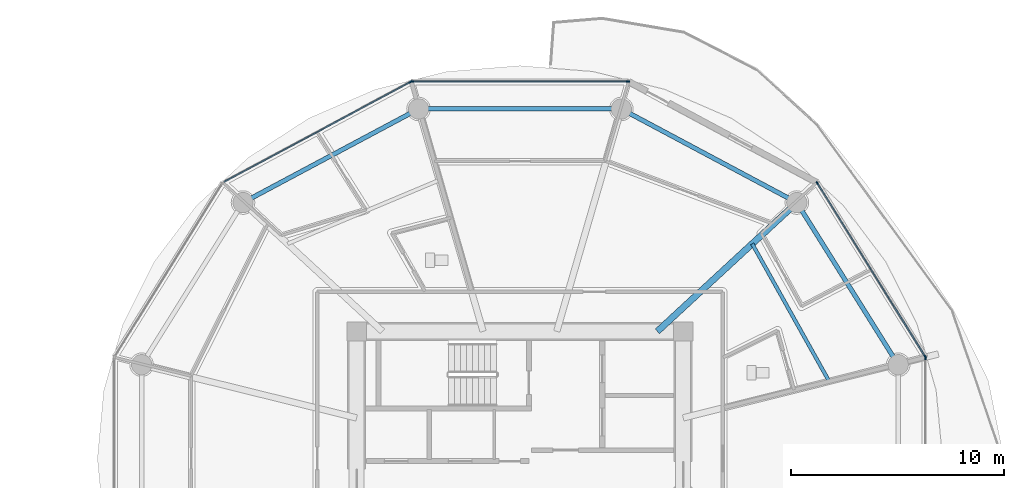
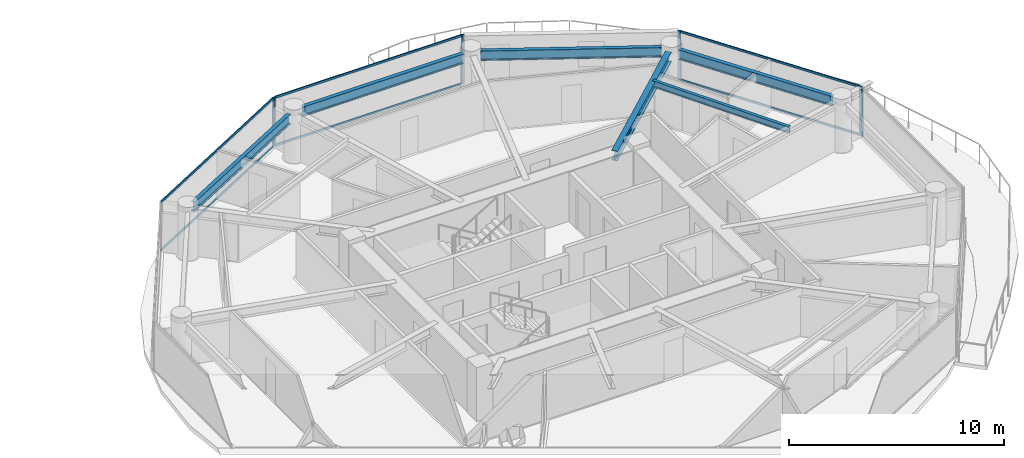
# One storey, part 13 of 31: 12 members, 6 beams, 4 elements without a shape of their own.
"""IFC4 building model written with IfcOpenShell, lengths in metres."""

from ifc_helpers import new_model, si_unit, direction, frame, origin, origin_2d, place, context, subcontext, project, spatial, rectangle, i_section, extrude, source, transform, mapped, material, layer, layer_set, material_profile, profile_set, type_object, type_shapes, element, aggregate, save


model = new_model("IFC4")

# Units and contexts
model_context = context("Model", 3, precision=1e-05, world=origin(), true_north=direction((0.0, 1.0)))
body_context = subcontext(model_context, "Body", "Model", "MODEL_VIEW")
ifc_project = project(units=[si_unit("LENGTHUNIT", "METRE"), si_unit("AREAUNIT", "SQUARE_METRE"), si_unit("VOLUMEUNIT", "CUBIC_METRE"), si_unit("PLANEANGLEUNIT", "RADIAN"), si_unit("MASSUNIT", "GRAM", prefix="KILO")], contexts=[model_context])

# Site, building, storey
site_placement = place(None, origin())
site = spatial("IfcSite", under=ifc_project, at=site_placement, CompositionType="ELEMENT")
building_placement = place(site_placement, origin())
building = spatial("IfcBuilding", under=site, at=building_placement, Name="Norrkilde Senior Care Towers", CompositionType="ELEMENT")
storey_placement = place(building_placement, frame((0.0, 0.0, 42.949951171875)))
storey = spatial("IfcBuildingStorey", under=building, at=storey_placement, Name="L12", CompositionType="ELEMENT", Elevation=42.949951171875)

# Beams
ifc_material_1 = material(Name="Steel S355", Category="steel")
ifc_material_profile_1 = material_profile(ifc_material_1, i_section(OverallWidth=0.2099609375, OverallDepth=0.550048828125, WebThickness=0.010986328125, FlangeThickness=0.01708984375, FilletRadius=0.02392578125, at=origin_2d()), Name="IPE 550")
ifc_profile_set_1 = profile_set([ifc_material_profile_1], Name="Steel S355")
beam_type_1 = type_object("IfcBeamType", Name="Perimeter Ring Spandrel Z1 IPE550", PredefinedType="SPANDREL", material=ifc_profile_set_1)
shared_shape_1 = source(origin(), body_context, "Body", "SweptSolid", [
    extrude(i_section(OverallWidth=0.2099609375, OverallDepth=0.550048828125, WebThickness=0.010986328125, FlangeThickness=0.01708984375, FilletRadius=0.02392578125, at=origin_2d()), origin(), (0.0, 0.0, 1.0), 8.090576171875),
])
beam_1_placement = place(storey_placement, frame((45.494140625, 4.755859375, 2.51513671875), z_axis=(-0.530004364821, 0.84799491347, 0.0), x_axis=(-0.84799491347, -0.530004364821, 0.0)))
element("IfcBeam", 1, at=beam_1_placement, inside=storey, type_object=beam_type_1, Name="L12 Drum E Perimeter Spandrel 01", PredefinedType="SPANDREL", context=body_context, shape_type="MappedRepresentation", body=[
    mapped(shared_shape_1, transform((0.0, 0.0, 0.0), x_axis=(1.0, 0.0, 0.0), y_axis=(0.0, 1.0, 0.0), z_axis=(0.0, 0.0, 1.0), scale=1.0)),
])
shared_shape_2 = source(origin(), body_context, "Body", "SweptSolid", [
    extrude(i_section(OverallWidth=0.2099609375, OverallDepth=0.550048828125, WebThickness=0.010986328125, FlangeThickness=0.01708984375, FilletRadius=0.02392578125, at=origin_2d()), origin(), (0.0, 0.0, 1.0), 8.452880859375),
])
for number, where, z_axis, x_axis, name in (
    (2, (40.591552734375, 12.190185546875, 2.51513671875), (-0.882368931134, 0.470558252898, 0.0), (-0.470558252898, -0.882368931134, 0.0), "L12 Drum E Perimeter Spandrel 02"),
    (3, (22.866943359375, 16.167724609375, 2.51513671875), (-0.882368931134, -0.470558252898, 0.0), (0.470558252898, -0.882368931134, 0.0), "L12 Drum E Perimeter Spandrel 04"),
):
    element("IfcBeam", number, at=place(storey_placement, frame(where, z_axis=z_axis, x_axis=x_axis)), inside=storey, type_object=beam_type_1, Name=name, PredefinedType="SPANDREL", context=body_context, shape_type="MappedRepresentation", body=[
        mapped(shared_shape_2, transform((0.0, 0.0, 0.0), x_axis=(1.0, 0.0, 0.0), y_axis=(0.0, 1.0, 0.0), z_axis=(0.0, 0.0, 1.0), scale=1.0)),
    ])
ifc_material_profile_2 = material_profile(ifc_material_1, i_section(OverallWidth=0.300048828125, OverallDepth=0.550048828125, WebThickness=0.014892578125, FlangeThickness=0.029052734375, FilletRadius=0.027099609375, at=origin_2d()), Name="HEB 550")
ifc_profile_set_2 = profile_set([ifc_material_profile_2], Name="Steel S355")
beam_type_2 = type_object("IfcBeamType", Name="Radial Floor Beam Z1 HEB550", PredefinedType="BEAM", material=ifc_profile_set_2)
shared_shape_3 = source(origin(), body_context, "Body", "SweptSolid", [
    extrude(i_section(OverallWidth=0.300048828125, OverallDepth=0.550048828125, WebThickness=0.014892578125, FlangeThickness=0.029052734375, FilletRadius=0.027099609375, at=origin_2d()), origin(), (0.0, 0.0, 1.0), 8.459716796875),
])
type_shapes(beam_type_2, [shared_shape_3])
beam_2_placement = place(storey_placement, frame((34.44140625, 5.949951171875, 2.51513671875), z_axis=(0.734573269108, 0.678529374686, 0.0), x_axis=(-0.678529374686, 0.734573269108, 0.0)))
element("IfcBeam", 4, at=beam_2_placement, inside=storey, type_object=beam_type_2, Name="L12 Drum E Radial Floor Beam 02", PredefinedType="BEAM", context=body_context, shape_type="MappedRepresentation", body=[
    mapped(shared_shape_3, transform((0.0, 0.0, 0.0), x_axis=(1.0, 0.0, 0.0), y_axis=(0.0, 1.0, 0.0), z_axis=(0.0, 0.0, 1.0), scale=1.0)),
])
shared_shape_4 = source(origin(), body_context, "Body", "SweptSolid", [
    extrude(i_section(OverallWidth=0.2099609375, OverallDepth=0.550048828125, WebThickness=0.010986328125, FlangeThickness=0.01708984375, FilletRadius=0.02392578125, at=origin_2d()), origin(), (0.0, 0.0, 1.0), 8.62841796875),
])
type_shapes(beam_type_1, [shared_shape_1, shared_shape_2, shared_shape_4])
beam_3_placement = place(storey_placement, frame((32.314208984375, 16.37255859375, 2.51513671875), z_axis=(-1.0, 0.0, 0.0), x_axis=(0.0, -1.0, 0.0)))
element("IfcBeam", 5, at=beam_3_placement, inside=storey, type_object=beam_type_1, Name="L12 Drum E Perimeter Spandrel 03", PredefinedType="SPANDREL", context=body_context, shape_type="MappedRepresentation", body=[
    mapped(shared_shape_4, transform((0.0, 0.0, 0.0), x_axis=(1.0, 0.0, 0.0), y_axis=(0.0, 1.0, 0.0), z_axis=(0.0, 0.0, 1.0), scale=1.0)),
])
ifc_material_profile_3 = material_profile(ifc_material_1, i_section(OverallWidth=0.169921875, OverallDepth=0.360107421875, WebThickness=0.008056640625, FlangeThickness=0.0126953125, FilletRadius=0.01806640625, at=origin_2d()), Name="IPE 360")
ifc_profile_set_3 = profile_set([ifc_material_profile_3], Name="Steel S355")
beam_type_3 = type_object("IfcBeamType", Name="Secondary Floor Joist IPE360", PredefinedType="JOIST", material=ifc_profile_set_3)
shared_shape_5 = source(origin(), body_context, "Body", "SweptSolid", [
    extrude(i_section(OverallWidth=0.169921875, OverallDepth=0.360107421875, WebThickness=0.008056640625, FlangeThickness=0.0126953125, FilletRadius=0.01806640625, at=origin_2d()), origin(), (0.0, 0.0, 1.0), 7.40771484375),
])
type_shapes(beam_type_3, [shared_shape_5])
beam_4_placement = place(storey_placement, frame((42.500732421875, 3.589111328125, 2.610107421875), z_axis=(-0.488167754092, 0.872749817453, 0.0), x_axis=(-0.872749817453, -0.488167754092, 0.0)))
element("IfcBeam", 6, at=beam_4_placement, inside=storey, type_object=beam_type_3, Name="L12 Drum E Secondary Floor Joist 1", PredefinedType="JOIST", context=body_context, shape_type="MappedRepresentation", body=[
    mapped(shared_shape_5, transform((0.0, 0.0, 0.0), x_axis=(1.0, 0.0, 0.0), y_axis=(0.0, 1.0, 0.0), z_axis=(0.0, 0.0, 1.0), scale=1.0)),
])

# Curtain wall, members
ifc_material_2 = material(Name="Triple Low-E Insulated Glazing", Category="glass")
ifc_layer = layer(ifc_material_2, 0.199951171875)
ifc_layer_set = layer_set([ifc_layer], Name="Triple Low-E Insulated Glazing")
curtain_wall_type = type_object("IfcCurtainWallType", Name="CW2 Zone 1 Memory Care Curtain Wall", PredefinedType="NOTDEFINED", material=ifc_layer_set)
curtain_wall_1_placement = place(storey_placement, origin())
curtain_wall_1 = element("IfcCurtainWall", 7, at=curtain_wall_1_placement, inside=storey, type_object=curtain_wall_type, Name="L12 Drum E Curtain Wall 00", PredefinedType="NOTDEFINED")
ifc_material_3 = material(Name="Anodised Aluminium", Category="aluminium")
ifc_material_profile_4 = material_profile(ifc_material_3, rectangle(XDim=0.06494140625, YDim=0.159912109375, at=origin_2d()), Name="ALU MULL 65x160")
ifc_profile_set_4 = profile_set([ifc_material_profile_4], Name="Anodised Aluminium")
member_type_1 = type_object("IfcMemberType", Name="Curtain Wall Mullion Z1-Z2 65x160", PredefinedType="MULLION", material=ifc_profile_set_4)
shared_shape_6 = source(origin(), body_context, "Body", "SweptSolid", [
    extrude(rectangle(XDim=0.06494140625, YDim=0.159912109375, at=origin_2d()), origin(), (0.0, 0.0, 1.0), 2.7900390625),
])
type_shapes(member_type_1, [shared_shape_6])
member_1_placement = place(storey_placement, frame((41.93310546875, 12.898193359375, 0.0), z_axis=(0.0, 0.0, 1.0), x_axis=(0.849305943117, 0.527900951871, 0.0)))
member_1 = element("IfcMember", 8, at=member_1_placement, type_object=member_type_1, Name="CW-2 mullion 1", PredefinedType="MULLION", context=body_context, shape_type="MappedRepresentation", body=[
    mapped(shared_shape_6, transform((0.0, 0.0, 0.0), x_axis=(1.0, 0.0, 0.0), y_axis=(0.0, 1.0, 0.0), z_axis=(0.0, 0.0, 1.0), scale=1.0)),
])
member_2_placement = place(storey_placement, frame((46.9921875, 4.7587890625, 0.0), z_axis=(0.0, 0.0, 1.0), x_axis=(0.849305943117, 0.527900951871, 0.0)))
member_2 = element("IfcMember", 9, at=member_2_placement, type_object=member_type_1, Name="CW-2 mullion 2", PredefinedType="MULLION", context=body_context, shape_type="MappedRepresentation", body=[
    mapped(shared_shape_6, transform((0.0, 0.0, 0.0), x_axis=(1.0, 0.0, 0.0), y_axis=(0.0, 1.0, 0.0), z_axis=(0.0, 0.0, 1.0), scale=1.0)),
])

curtain_wall_2_placement = place(storey_placement, origin())
curtain_wall_2 = element("IfcCurtainWall", 10, at=curtain_wall_2_placement, inside=storey, type_object=curtain_wall_type, Name="L12 Drum E Curtain Wall 02", PredefinedType="NOTDEFINED")
member_3_placement = place(storey_placement, frame((22.93896484375, 17.6572265625, 0.0), z_axis=(0.0, 0.0, 1.0), x_axis=(0.0, 1.0, 0.0)))
member_3 = element("IfcMember", 11, at=member_3_placement, type_object=member_type_1, Name="CW-2 mullion 1", PredefinedType="MULLION", context=body_context, shape_type="MappedRepresentation", body=[
    mapped(shared_shape_6, transform((0.0, 0.0, 0.0), x_axis=(1.0, 0.0, 0.0), y_axis=(0.0, 1.0, 0.0), z_axis=(0.0, 0.0, 1.0), scale=1.0)),
])
member_4_placement = place(storey_placement, frame((33.06103515625, 17.6572265625, 0.0), z_axis=(0.0, 0.0, 1.0), x_axis=(0.0, 1.0, 0.0)))
member_4 = element("IfcMember", 12, at=member_4_placement, type_object=member_type_1, Name="CW-2 mullion 2", PredefinedType="MULLION", context=body_context, shape_type="MappedRepresentation", body=[
    mapped(shared_shape_6, transform((0.0, 0.0, 0.0), x_axis=(1.0, 0.0, 0.0), y_axis=(0.0, 1.0, 0.0), z_axis=(0.0, 0.0, 1.0), scale=1.0)),
])

# Curtain wall, member
curtain_wall_3_placement = place(storey_placement, origin())
curtain_wall_3 = element("IfcCurtainWall", 13, at=curtain_wall_3_placement, inside=storey, type_object=curtain_wall_type, Name="L12 Drum E Curtain Wall 03", PredefinedType="NOTDEFINED")
member_5_placement = place(storey_placement, frame((22.877685546875, 17.641845703125, 0.0), z_axis=(0.0, 0.0, 1.0), x_axis=(-0.472607802456, 0.881272866403, 0.0)))
member_5 = element("IfcMember", 14, at=member_5_placement, type_object=member_type_1, Name="CW-2 mullion 2", PredefinedType="MULLION", context=body_context, shape_type="MappedRepresentation", body=[
    mapped(shared_shape_6, transform((0.0, 0.0, 0.0), x_axis=(1.0, 0.0, 0.0), y_axis=(0.0, 1.0, 0.0), z_axis=(0.0, 0.0, 1.0), scale=1.0)),
])

curtain_wall_4_placement = place(storey_placement, origin())
curtain_wall_4 = element("IfcCurtainWall", 15, at=curtain_wall_4_placement, inside=storey, type_object=curtain_wall_type, Name="L12 Drum E Curtain Wall 11", PredefinedType="NOTDEFINED")
member_6_placement = place(storey_placement, frame((47.009521484375, 4.69873046875, 0.0), z_axis=(0.0, 0.0, 1.0), x_axis=(1.0, 0.0, 0.0)))
member_6 = element("IfcMember", 16, at=member_6_placement, type_object=member_type_1, Name="CW-2 mullion 1", PredefinedType="MULLION", context=body_context, shape_type="MappedRepresentation", body=[
    mapped(shared_shape_6, transform((0.0, 0.0, 0.0), x_axis=(1.0, 0.0, 0.0), y_axis=(0.0, 1.0, 0.0), z_axis=(0.0, 0.0, 1.0), scale=1.0)),
])
aggregate(curtain_wall_4, [member_6])

# Member
ifc_material_profile_5 = material_profile(ifc_material_3, rectangle(XDim=0.06005859375, YDim=0.1201171875, at=origin_2d()), Name="ALU TRAN 60x120")
ifc_profile_set_5 = profile_set([ifc_material_profile_5], Name="Anodised Aluminium")
member_type_2 = type_object("IfcMemberType", Name="Curtain Wall Transom Typical 60x120", PredefinedType="USERDEFINED", material=ifc_profile_set_5)
shared_shape_7 = source(origin(), body_context, "Body", "SweptSolid", [
    extrude(rectangle(XDim=0.06005859375, YDim=0.1201171875, at=origin_2d()), origin(), (0.0, 0.0, 1.0), 9.5185546875),
])
member_7_placement = place(storey_placement, frame((41.9501953125, 12.87060546875, 0.030029296875), z_axis=(0.527901620669, -0.849305527413, 0.0), x_axis=(0.849305527413, 0.527901620669, 0.0)))
member_7 = element("IfcMember", 17, at=member_7_placement, type_object=member_type_2, Name="CW-2 transom 1.1", ObjectType="TRANSOM", PredefinedType="USERDEFINED", context=body_context, shape_type="MappedRepresentation", body=[
    mapped(shared_shape_7, transform((0.0, 0.0, 0.0), x_axis=(1.0, 0.0, 0.0), y_axis=(0.0, 1.0, 0.0), z_axis=(0.0, 0.0, 1.0), scale=1.0)),
])

member_8_placement = place(storey_placement, frame((41.9501953125, 12.87060546875, 2.760009765625), z_axis=(0.527901620669, -0.849305527413, 0.0), x_axis=(0.849305527413, 0.527901620669, 0.0)))
member_8 = element("IfcMember", 18, at=member_8_placement, type_object=member_type_2, Name="CW-2 transom 1.2", ObjectType="TRANSOM", PredefinedType="USERDEFINED", context=body_context, shape_type="MappedRepresentation", body=[
    mapped(shared_shape_7, transform((0.0, 0.0, 0.0), x_axis=(1.0, 0.0, 0.0), y_axis=(0.0, 1.0, 0.0), z_axis=(0.0, 0.0, 1.0), scale=1.0)),
])

aggregate(curtain_wall_1, [member_1, member_2, member_7, member_8])

shared_shape_8 = source(origin(), body_context, "Body", "SweptSolid", [
    extrude(rectangle(XDim=0.06005859375, YDim=0.1201171875, at=origin_2d()), origin(), (0.0, 0.0, 1.0), 9.880859375),
])
member_9_placement = place(storey_placement, frame((14.141357421875, 12.95654296875, 0.030029296875), z_axis=(0.881267204043, 0.47261836092, 0.0), x_axis=(-0.47261836092, 0.881267204043, 0.0)))
member_9 = element("IfcMember", 19, at=member_9_placement, type_object=member_type_2, Name="CW-2 transom 1.1", ObjectType="TRANSOM", PredefinedType="USERDEFINED", context=body_context, shape_type="MappedRepresentation", body=[
    mapped(shared_shape_8, transform((0.0, 0.0, 0.0), x_axis=(1.0, 0.0, 0.0), y_axis=(0.0, 1.0, 0.0), z_axis=(0.0, 0.0, 1.0), scale=1.0)),
])

member_10_placement = place(storey_placement, frame((14.141357421875, 12.95654296875, 2.760009765625), z_axis=(0.881267204043, 0.47261836092, 0.0), x_axis=(-0.47261836092, 0.881267204043, 0.0)))
member_10 = element("IfcMember", 20, at=member_10_placement, type_object=member_type_2, Name="CW-2 transom 1.2", ObjectType="TRANSOM", PredefinedType="USERDEFINED", context=body_context, shape_type="MappedRepresentation", body=[
    mapped(shared_shape_8, transform((0.0, 0.0, 0.0), x_axis=(1.0, 0.0, 0.0), y_axis=(0.0, 1.0, 0.0), z_axis=(0.0, 0.0, 1.0), scale=1.0)),
])

aggregate(curtain_wall_3, [member_5, member_9, member_10])

shared_shape_9 = source(origin(), body_context, "Body", "SweptSolid", [
    extrude(rectangle(XDim=0.06005859375, YDim=0.1201171875, at=origin_2d()), origin(), (0.0, 0.0, 1.0), 10.05712890625),
])
type_shapes(member_type_2, [shared_shape_7, shared_shape_8, shared_shape_9])
member_11_placement = place(storey_placement, frame((22.971435546875, 17.6572265625, 0.030029296875), z_axis=(1.0, 0.0, 0.0), x_axis=(0.0, 1.0, 0.0)))
member_11 = element("IfcMember", 21, at=member_11_placement, type_object=member_type_2, Name="CW-2 transom 1.1", ObjectType="TRANSOM", PredefinedType="USERDEFINED", context=body_context, shape_type="MappedRepresentation", body=[
    mapped(shared_shape_9, transform((0.0, 0.0, 0.0), x_axis=(1.0, 0.0, 0.0), y_axis=(0.0, 1.0, 0.0), z_axis=(0.0, 0.0, 1.0), scale=1.0)),
])

member_12_placement = place(storey_placement, frame((22.971435546875, 17.6572265625, 2.760009765625), z_axis=(1.0, 0.0, 0.0), x_axis=(0.0, 1.0, 0.0)))
member_12 = element("IfcMember", 22, at=member_12_placement, type_object=member_type_2, Name="CW-2 transom 1.2", ObjectType="TRANSOM", PredefinedType="USERDEFINED", context=body_context, shape_type="MappedRepresentation", body=[
    mapped(shared_shape_9, transform((0.0, 0.0, 0.0), x_axis=(1.0, 0.0, 0.0), y_axis=(0.0, 1.0, 0.0), z_axis=(0.0, 0.0, 1.0), scale=1.0)),
])

aggregate(curtain_wall_2, [member_3, member_4, member_11, member_12])

save(model, "model.ifc")
